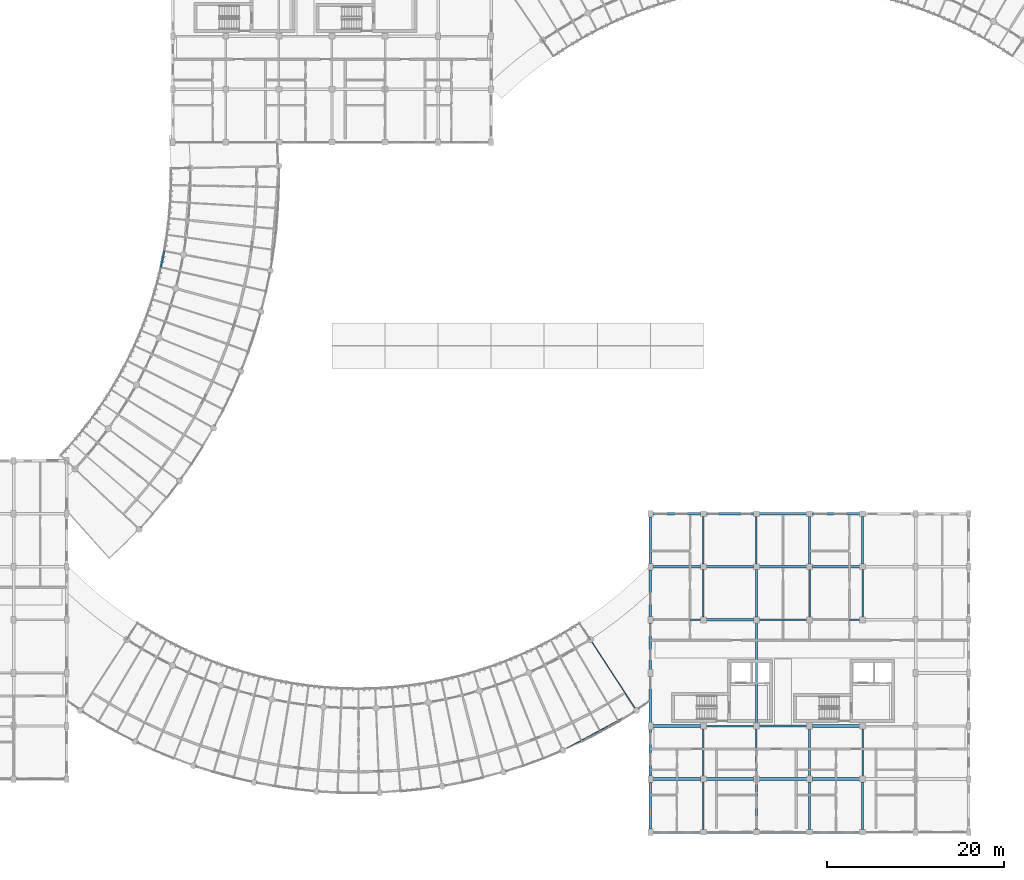
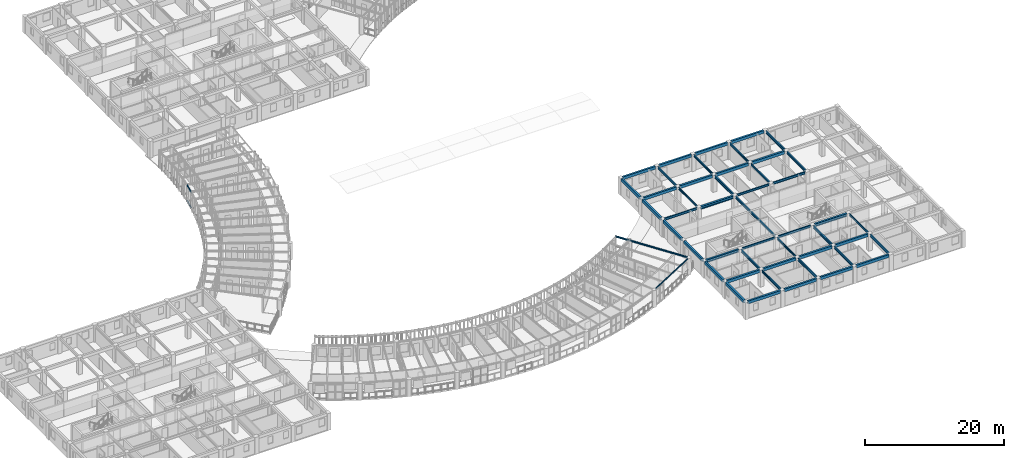
# One storey, part 21 of 100: 50 beams, 2 members.
"""IFC4 building model written with IfcOpenShell, lengths in metres."""

from ifc_helpers import new_model, si_unit, direction, frame, origin, origin_2d, place, context, subcontext, project, spatial, rectangle, hollow_rectangle, i_section, extrude, material, material_profile, profile_set, type_object, element, save


model = new_model("IFC4")

# Units and contexts
model_context = context("Model", 3, precision=1e-05, world=origin(), true_north=direction((0.0, 1.0)))
body_context = subcontext(model_context, "Body", "Model", "MODEL_VIEW")
ifc_project = project(units=[si_unit("LENGTHUNIT", "METRE"), si_unit("AREAUNIT", "SQUARE_METRE"), si_unit("VOLUMEUNIT", "CUBIC_METRE"), si_unit("PLANEANGLEUNIT", "RADIAN"), si_unit("MASSUNIT", "GRAM", prefix="KILO"), si_unit("POWERUNIT", "WATT"), si_unit("THERMODYNAMICTEMPERATUREUNIT", "KELVIN")], contexts=[model_context])

# Site, building, storey
site_placement = place(None, origin())
site = spatial("IfcSite", under=ifc_project, at=site_placement, CompositionType="ELEMENT")
building_placement = place(site_placement, origin())
building = spatial("IfcBuilding", under=site, at=building_placement, Name="Ruvembo Vaulted Housing Court", CompositionType="ELEMENT")
storey_placement = place(building_placement, frame((0.0, 0.0, 10.89990234375)))
storey = spatial("IfcBuildingStorey", under=building, at=storey_placement, Name="L03", CompositionType="ELEMENT", Elevation=10.89990234375)

# Beams
ifc_material_1 = material(Name="Steel S355J2", Category="steel")
ifc_material_profile_1 = material_profile(ifc_material_1, i_section(OverallWidth=0.300048828125, OverallDepth=0.5, WebThickness=0.014404296875, FlangeThickness=0.028076171875, FilletRadius=0.027099609375, at=origin_2d()), Name="HEB 320")
ifc_profile_set_1 = profile_set([ifc_material_profile_1], Name="Steel S355J2")
beam_type_1 = type_object("IfcBeamType", Name="BM-ST-HEB320", PredefinedType="BEAM", material=ifc_profile_set_1)
beam_1_placement = place(storey_placement, frame((102.260009765625, 12.0, 2.676025390625), z_axis=(1.0, 0.0, 0.0), x_axis=(0.0, 1.0, 0.0)))
element("IfcBeam", 1, at=beam_1_placement, inside=storey, type_object=beam_type_1, Name="L03 Grid Beam X #1733", PredefinedType="BEAM", context=body_context, shape_type="SweptSolid", body=[
    extrude(i_section(OverallWidth=0.300048828125, OverallDepth=0.5, WebThickness=0.014404296875, FlangeThickness=0.028076171875, FilletRadius=0.027099609375, at=origin_2d()), origin(), (0.0, 0.0, 1.0), 5.429931640625),
])
for number, where, z_axis, x_axis, name in (
    (2, (120.31005859375, 12.0, 2.676025390625), (1.0, 0.0, 0.0), (0.0, 1.0, 0.0), "L03 Grid Beam X #1736"),
    (3, (108.31005859375, 24.0, 2.676025390625), (1.0, 0.0, 0.0), (0.0, 1.0, 0.0), "L03 Grid Beam X #1748"),
):
    element("IfcBeam", number, at=place(storey_placement, frame(where, z_axis=z_axis, x_axis=x_axis)), inside=storey, type_object=beam_type_1, Name=name, PredefinedType="BEAM", context=body_context, shape_type="SweptSolid", body=[
        extrude(i_section(OverallWidth=0.300048828125, OverallDepth=0.5, WebThickness=0.014404296875, FlangeThickness=0.028076171875, FilletRadius=0.027099609375, at=origin_2d()), origin(), (0.0, 0.0, 1.0), 5.3798828125),
    ])
ifc_material_profile_2 = material_profile(ifc_material_1, i_section(OverallWidth=0.10009765625, OverallDepth=0.199951171875, WebThickness=0.005615234375, FlangeThickness=0.008544921875, FilletRadius=0.011962890625, at=origin_2d()), Name="IPE 200")
ifc_profile_set_2 = profile_set([ifc_material_profile_2], Name="Steel S355J2")
beam_type_2 = type_object("IfcBeamType", Name="BM-ST-IPE200", PredefinedType="BEAM", material=ifc_profile_set_2)
beam_2_placement = place(storey_placement, frame((100.322265625, 13.93505859375, 2.840087890625), z_axis=(-0.545959206746, 0.837811759627, 0.0), x_axis=(-0.837811759627, -0.545959206746, 0.0)))
element("IfcBeam", 4, at=beam_2_placement, inside=storey, type_object=beam_type_2, Name="Scoop SC2 L03 Radial Steel Joist 28", PredefinedType="BEAM", context=body_context, shape_type="SweptSolid", body=[
    extrude(i_section(OverallWidth=0.10009765625, OverallDepth=0.199951171875, WebThickness=0.005615234375, FlangeThickness=0.008544921875, FilletRadius=0.011962890625, at=origin_2d()), origin(), (0.0, 0.0, 1.0), 11.610107421875),
])
ifc_material_profile_3 = material_profile(ifc_material_1, i_section(OverallWidth=0.110107421875, OverallDepth=0.219970703125, WebThickness=0.005859375, FlangeThickness=0.00927734375, FilletRadius=0.011962890625, at=origin_2d()), Name="IPE 220")
ifc_profile_set_3 = profile_set([ifc_material_profile_3], Name="Steel S355J2")
beam_type_3 = type_object("IfcBeamType", Name="BM-ST-IPE220", PredefinedType="SPANDREL", material=ifc_profile_set_3)
beam_3_placement = place(storey_placement, frame((92.2958984375, 9.341552734375, 2.83203125), z_axis=(0.879961207555, 0.475045548552, 0.0), x_axis=(-0.475045548552, 0.879961207555, 0.0)))
element("IfcBeam", 5, at=beam_3_placement, inside=storey, type_object=beam_type_3, Name="Scoop SC2 L03 Chord Girder B24", PredefinedType="SPANDREL", context=body_context, shape_type="SweptSolid", body=[
    extrude(i_section(OverallWidth=0.110107421875, OverallDepth=0.219970703125, WebThickness=0.005859375, FlangeThickness=0.00927734375, FilletRadius=0.011962890625, at=origin_2d()), origin(), (0.0, 0.0, 1.0), 9.033935546875),
])
ifc_material_profile_4 = material_profile(ifc_material_1, i_section(OverallWidth=0.169921875, OverallDepth=0.360107421875, WebThickness=0.008056640625, FlangeThickness=0.0126953125, FilletRadius=0.01806640625, at=origin_2d()), Name="IPE 360")
ifc_profile_set_4 = profile_set([ifc_material_profile_4], Name="Steel S355J2")
beam_type_4 = type_object("IfcBeamType", Name="BM-ST-IPE360", PredefinedType="BEAM", material=ifc_profile_set_4)
for number, where, z_axis, x_axis, name in (
    (6, (108.31005859375, 12.0, 2.74609375), (1.0, 0.0, 0.0), (0.0, 1.0, 0.0), "L03 Grid Beam X #1734"),
    (7, (114.31005859375, 24.0, 2.74609375), (1.0, 0.0, 0.0), (0.0, 1.0, 0.0), "L03 Grid Beam X #1749"),
    (8, (108.0, 24.31005859375, 2.74609375), (0.0, 1.0, 0.0), (-1.0, 0.0, 0.0), "L03 Grid Beam Y #1935"),
    (9, (114.0, 6.31005859375, 2.74609375), (0.0, 1.0, 0.0), (-1.0, 0.0, 0.0), "L03 Grid Beam Y #1938"),
    (10, (114.0, 30.31005859375, 2.74609375), (0.0, 1.0, 0.0), (-1.0, 0.0, 0.0), "L03 Grid Beam Y #1941"),
    (11, (120.0, 24.31005859375, 2.74609375), (0.0, 1.0, 0.0), (-1.0, 0.0, 0.0), "L03 Grid Beam Y #1944"),
    (12, (126.0, 6.31005859375, 2.74609375), (0.0, 1.0, 0.0), (-1.0, 0.0, 0.0), "L03 Grid Beam Y #1947"),
):
    element("IfcBeam", number, at=place(storey_placement, frame(where, z_axis=z_axis, x_axis=x_axis)), inside=storey, type_object=beam_type_4, Name=name, PredefinedType="BEAM", context=body_context, shape_type="SweptSolid", body=[
        extrude(i_section(OverallWidth=0.169921875, OverallDepth=0.360107421875, WebThickness=0.008056640625, FlangeThickness=0.0126953125, FilletRadius=0.01806640625, at=origin_2d()), origin(), (0.0, 0.0, 1.0), 5.3798828125),
    ])
ifc_material_profile_5 = material_profile(ifc_material_1, i_section(OverallWidth=0.179931640625, OverallDepth=0.39990234375, WebThickness=0.008544921875, FlangeThickness=0.013427734375, FilletRadius=0.02099609375, at=origin_2d()), Name="IPE 400")
ifc_profile_set_5 = profile_set([ifc_material_profile_5], Name="Steel S355J2")
beam_type_5 = type_object("IfcBeamType", Name="BM-ST-IPE400", PredefinedType="BEAM", material=ifc_profile_set_5)
beam_4_placement = place(storey_placement, frame((114.31005859375, 12.0, 2.72607421875), z_axis=(1.0, 0.0, 0.0), x_axis=(0.0, 1.0, 0.0)))
element("IfcBeam", 13, at=beam_4_placement, inside=storey, type_object=beam_type_5, Name="L03 Grid Beam X #1735", PredefinedType="BEAM", context=body_context, shape_type="SweptSolid", body=[
    extrude(i_section(OverallWidth=0.179931640625, OverallDepth=0.39990234375, WebThickness=0.008544921875, FlangeThickness=0.013427734375, FilletRadius=0.02099609375, at=origin_2d()), origin(), (0.0, 0.0, 1.0), 5.3798828125),
])
beam_5_placement = place(storey_placement, frame((102.260009765625, 24.0, 2.72607421875), z_axis=(1.0, 0.0, 0.0), x_axis=(0.0, 1.0, 0.0)))
element("IfcBeam", 14, at=beam_5_placement, inside=storey, type_object=beam_type_5, Name="L03 Grid Beam X #1747", PredefinedType="BEAM", context=body_context, shape_type="SweptSolid", body=[
    extrude(i_section(OverallWidth=0.179931640625, OverallDepth=0.39990234375, WebThickness=0.008544921875, FlangeThickness=0.013427734375, FilletRadius=0.02099609375, at=origin_2d()), origin(), (0.0, 0.0, 1.0), 5.429931640625),
])
for number, where, z_axis, x_axis, name in (
    (15, (120.31005859375, 24.0, 2.72607421875), (1.0, 0.0, 0.0), (0.0, 1.0, 0.0), "L03 Grid Beam X #1750"),
    (16, (108.0, 0.31005859375, 2.72607421875), (0.0, 1.0, 0.0), (-1.0, 0.0, 0.0), "L03 Grid Beam Y #1933"),
    (17, (108.0, 30.31005859375, 2.72607421875), (0.0, 1.0, 0.0), (-1.0, 0.0, 0.0), "L03 Grid Beam Y #1936"),
):
    element("IfcBeam", number, at=place(storey_placement, frame(where, z_axis=z_axis, x_axis=x_axis)), inside=storey, type_object=beam_type_5, Name=name, PredefinedType="BEAM", context=body_context, shape_type="SweptSolid", body=[
        extrude(i_section(OverallWidth=0.179931640625, OverallDepth=0.39990234375, WebThickness=0.008544921875, FlangeThickness=0.013427734375, FilletRadius=0.02099609375, at=origin_2d()), origin(), (0.0, 0.0, 1.0), 5.3798828125),
    ])
beam_6_placement = place(storey_placement, frame((114.0, 12.31005859375, 2.72607421875), z_axis=(0.0, 1.0, 0.0), x_axis=(-1.0, 0.0, 0.0)))
element("IfcBeam", 18, at=beam_6_placement, inside=storey, type_object=beam_type_5, Name="L03 Grid Beam Y #1939", PredefinedType="BEAM", context=body_context, shape_type="SweptSolid", body=[
    extrude(i_section(OverallWidth=0.179931640625, OverallDepth=0.39990234375, WebThickness=0.008544921875, FlangeThickness=0.013427734375, FilletRadius=0.02099609375, at=origin_2d()), origin(), (0.0, 0.0, 1.0), 11.3798828125),
])
for number, where, z_axis, x_axis, name in (
    (19, (120.0, 0.31005859375, 2.72607421875), (0.0, 1.0, 0.0), (-1.0, 0.0, 0.0), "L03 Grid Beam Y #1942"),
    (20, (120.0, 30.31005859375, 2.72607421875), (0.0, 1.0, 0.0), (-1.0, 0.0, 0.0), "L03 Grid Beam Y #1945"),
    (21, (126.0, 24.31005859375, 2.72607421875), (0.0, 1.0, 0.0), (-1.0, 0.0, 0.0), "L03 Grid Beam Y #1948"),
):
    element("IfcBeam", number, at=place(storey_placement, frame(where, z_axis=z_axis, x_axis=x_axis)), inside=storey, type_object=beam_type_5, Name=name, PredefinedType="BEAM", context=body_context, shape_type="SweptSolid", body=[
        extrude(i_section(OverallWidth=0.179931640625, OverallDepth=0.39990234375, WebThickness=0.008544921875, FlangeThickness=0.013427734375, FilletRadius=0.02099609375, at=origin_2d()), origin(), (0.0, 0.0, 1.0), 5.3798828125),
    ])
ifc_material_profile_6 = material_profile(ifc_material_1, i_section(OverallWidth=0.18994140625, OverallDepth=0.449951171875, WebThickness=0.009521484375, FlangeThickness=0.0146484375, FilletRadius=0.02099609375, at=origin_2d()), Name="IPE 450")
ifc_profile_set_6 = profile_set([ifc_material_profile_6], Name="Steel S355J2")
beam_type_6 = type_object("IfcBeamType", Name="BM-ST-IPE450", PredefinedType="BEAM", material=ifc_profile_set_6)
for number, where, z_axis, x_axis, name in (
    (22, (108.0, 6.31005859375, 2.701171875), (0.0, 1.0, 0.0), (-1.0, 0.0, 0.0), "L03 Grid Beam Y #1934"),
    (23, (114.0, 0.31005859375, 2.701171875), (0.0, 1.0, 0.0), (-1.0, 0.0, 0.0), "L03 Grid Beam Y #1937"),
    (24, (114.0, 24.31005859375, 2.701171875), (0.0, 1.0, 0.0), (-1.0, 0.0, 0.0), "L03 Grid Beam Y #1940"),
    (25, (120.0, 6.31005859375, 2.701171875), (0.0, 1.0, 0.0), (-1.0, 0.0, 0.0), "L03 Grid Beam Y #1943"),
    (26, (126.0, 0.31005859375, 2.701171875), (0.0, 1.0, 0.0), (-1.0, 0.0, 0.0), "L03 Grid Beam Y #1946"),
    (27, (126.0, 30.31005859375, 2.701171875), (0.0, 1.0, 0.0), (-1.0, 0.0, 0.0), "L03 Grid Beam Y #1949"),
):
    element("IfcBeam", number, at=place(storey_placement, frame(where, z_axis=z_axis, x_axis=x_axis)), inside=storey, type_object=beam_type_6, Name=name, PredefinedType="BEAM", context=body_context, shape_type="SweptSolid", body=[
        extrude(i_section(OverallWidth=0.18994140625, OverallDepth=0.449951171875, WebThickness=0.009521484375, FlangeThickness=0.0146484375, FilletRadius=0.02099609375, at=origin_2d()), origin(), (0.0, 0.0, 1.0), 5.3798828125),
    ])
ifc_material_profile_7 = material_profile(ifc_material_1, hollow_rectangle(XDim=0.10009765625, YDim=0.199951171875, WallThickness=0.008056640625, InnerFilletRadius=0.008056640625, OuterFilletRadius=0.01611328125, at=origin_2d()), Name="RHS 200x100x8")
ifc_profile_set_7 = profile_set([ifc_material_profile_7], Name="Steel S355J2")
beam_type_7 = type_object("IfcBeamType", Name="BM-ST-RHS200", PredefinedType="SPANDREL", material=ifc_profile_set_7)
beam_7_placement = place(storey_placement, frame((46.664794921875, 63.86669921875, 2.840087890625), z_axis=(0.20126745828, 0.979536324103, 0.0), x_axis=(-0.979536324103, 0.20126745828, 0.0)))
element("IfcBeam", 28, at=beam_7_placement, inside=storey, type_object=beam_type_7, Name="Scoop SC1 L03 Balcony Edge Spandrel 13", PredefinedType="SPANDREL", context=body_context, shape_type="SweptSolid", body=[
    extrude(hollow_rectangle(XDim=0.10009765625, YDim=0.199951171875, WallThickness=0.008056640625, InnerFilletRadius=0.008056640625, OuterFilletRadius=0.01611328125, at=origin_2d()), origin(), (0.0, 0.0, 1.0), 1.87646484375),
])

# Members
ifc_material_profile_8 = material_profile(ifc_material_1, hollow_rectangle(XDim=0.06005859375, YDim=0.1201171875, WallThickness=0.0048828125, InnerFilletRadius=0.0048828125, OuterFilletRadius=0.010009765625, at=origin_2d()), Name="RHS 120x60x5")
ifc_profile_set_8 = profile_set([ifc_material_profile_8], Name="Steel S355J2")
member_type_1 = type_object("IfcMemberType", Name="MEM-CAR-RHS120", PredefinedType="CHORD", material=ifc_profile_set_8)
member_1_placement = place(storey_placement, frame((46.664794921875, 63.86669921875, 2.68310546875), z_axis=(0.20126745828, 0.979536324103, 0.0), x_axis=(-0.979536324103, 0.20126745828, 0.0)))
element("IfcMember", 29, at=member_1_placement, inside=storey, type_object=member_type_1, Name="Scoop SC1 L03 Upper Louvre Carrier Rail 13", PredefinedType="CHORD", context=body_context, shape_type="SweptSolid", body=[
    extrude(hollow_rectangle(XDim=0.06005859375, YDim=0.1201171875, WallThickness=0.0048828125, InnerFilletRadius=0.0048828125, OuterFilletRadius=0.010009765625, at=origin_2d()), origin(), (0.0, 0.0, 1.0), 1.87646484375),
])
ifc_material_profile_9 = material_profile(ifc_material_1, hollow_rectangle(XDim=0.080078125, YDim=0.14990234375, WallThickness=0.00634765625, InnerFilletRadius=0.00634765625, OuterFilletRadius=0.0126953125, at=origin_2d()), Name="RHS 150x80x6.3")
ifc_profile_set_9 = profile_set([ifc_material_profile_9], Name="Steel S355J2")
member_type_2 = type_object("IfcMemberType", Name="MEM-CAR-RHS150", PredefinedType="CHORD", material=ifc_profile_set_9)
member_2_placement = place(storey_placement, frame((46.664794921875, 63.86669921875, 0.09521484375), z_axis=(0.20126745828, 0.979536324103, 0.0), x_axis=(-0.979536324103, 0.20126745828, 0.0)))
element("IfcMember", 30, at=member_2_placement, inside=storey, type_object=member_type_2, Name="Scoop SC1 L03 Lower Louvre Carrier Rail 13", PredefinedType="CHORD", context=body_context, shape_type="SweptSolid", body=[
    extrude(hollow_rectangle(XDim=0.080078125, YDim=0.14990234375, WallThickness=0.00634765625, InnerFilletRadius=0.00634765625, OuterFilletRadius=0.0126953125, at=origin_2d()), origin(), (0.0, 0.0, 1.0), 1.87646484375),
])

# Beams
ifc_material_2 = material(Name="Concrete C35/45", Category="concrete")
ifc_material_profile_10 = material_profile(ifc_material_2, rectangle(XDim=0.300048828125, YDim=0.5, at=origin_2d()), Name="RC 300x500")
ifc_profile_set_10 = profile_set([ifc_material_profile_10], Name="Concrete C35/45")
beam_type_8 = type_object("IfcBeamType", Name="SP-RC-300x500", PredefinedType="SPANDREL", material=ifc_profile_set_10)
beam_8_placement = place(storey_placement, frame((102.260009765625, 0.0, 2.710205078125), z_axis=(1.0, 0.0, 0.0), x_axis=(0.0, 1.0, 0.0)))
element("IfcBeam", 31, at=beam_8_placement, inside=storey, type_object=beam_type_8, Name="L03 Grid Beam X #1709", PredefinedType="SPANDREL", context=body_context, shape_type="SweptSolid", body=[
    extrude(rectangle(XDim=0.300048828125, YDim=0.5, at=origin_2d()), origin(), (0.0, 0.0, 1.0), 5.429931640625),
])
for number, where, z_axis, x_axis, name in (
    (32, (108.31005859375, 0.0, 2.710205078125), (1.0, 0.0, 0.0), (0.0, 1.0, 0.0), "L03 Grid Beam X #1710"),
    (33, (114.31005859375, 0.0, 2.710205078125), (1.0, 0.0, 0.0), (0.0, 1.0, 0.0), "L03 Grid Beam X #1711"),
    (34, (120.31005859375, 0.0, 2.710205078125), (1.0, 0.0, 0.0), (0.0, 1.0, 0.0), "L03 Grid Beam X #1712"),
):
    element("IfcBeam", number, at=place(storey_placement, frame(where, z_axis=z_axis, x_axis=x_axis)), inside=storey, type_object=beam_type_8, Name=name, PredefinedType="SPANDREL", context=body_context, shape_type="SweptSolid", body=[
        extrude(rectangle(XDim=0.300048828125, YDim=0.5, at=origin_2d()), origin(), (0.0, 0.0, 1.0), 5.3798828125),
    ])
beam_9_placement = place(storey_placement, frame((102.260009765625, 6.0, 2.710205078125), z_axis=(1.0, 0.0, 0.0), x_axis=(0.0, 1.0, 0.0)))
element("IfcBeam", 35, at=beam_9_placement, inside=storey, type_object=beam_type_8, Name="L03 Grid Beam X #1721", PredefinedType="SPANDREL", context=body_context, shape_type="SweptSolid", body=[
    extrude(rectangle(XDim=0.300048828125, YDim=0.5, at=origin_2d()), origin(), (0.0, 0.0, 1.0), 5.429931640625),
])
for number, where, z_axis, x_axis, name in (
    (36, (108.31005859375, 6.0, 2.710205078125), (1.0, 0.0, 0.0), (0.0, 1.0, 0.0), "L03 Grid Beam X #1722"),
    (37, (114.31005859375, 6.0, 2.710205078125), (1.0, 0.0, 0.0), (0.0, 1.0, 0.0), "L03 Grid Beam X #1723"),
    (38, (120.31005859375, 6.0, 2.710205078125), (1.0, 0.0, 0.0), (0.0, 1.0, 0.0), "L03 Grid Beam X #1724"),
):
    element("IfcBeam", number, at=place(storey_placement, frame(where, z_axis=z_axis, x_axis=x_axis)), inside=storey, type_object=beam_type_8, Name=name, PredefinedType="SPANDREL", context=body_context, shape_type="SweptSolid", body=[
        extrude(rectangle(XDim=0.300048828125, YDim=0.5, at=origin_2d()), origin(), (0.0, 0.0, 1.0), 5.3798828125),
    ])
beam_10_placement = place(storey_placement, frame((102.260009765625, 30.0, 2.710205078125), z_axis=(1.0, 0.0, 0.0), x_axis=(0.0, 1.0, 0.0)))
element("IfcBeam", 39, at=beam_10_placement, inside=storey, type_object=beam_type_8, Name="L03 Grid Beam X #1759", PredefinedType="SPANDREL", context=body_context, shape_type="SweptSolid", body=[
    extrude(rectangle(XDim=0.300048828125, YDim=0.5, at=origin_2d()), origin(), (0.0, 0.0, 1.0), 5.429931640625),
])
for number, where, z_axis, x_axis, name in (
    (40, (108.31005859375, 30.0, 2.710205078125), (1.0, 0.0, 0.0), (0.0, 1.0, 0.0), "L03 Grid Beam X #1760"),
    (41, (114.31005859375, 30.0, 2.710205078125), (1.0, 0.0, 0.0), (0.0, 1.0, 0.0), "L03 Grid Beam X #1761"),
    (42, (120.31005859375, 30.0, 2.710205078125), (1.0, 0.0, 0.0), (0.0, 1.0, 0.0), "L03 Grid Beam X #1762"),
):
    element("IfcBeam", number, at=place(storey_placement, frame(where, z_axis=z_axis, x_axis=x_axis)), inside=storey, type_object=beam_type_8, Name=name, PredefinedType="SPANDREL", context=body_context, shape_type="SweptSolid", body=[
        extrude(rectangle(XDim=0.300048828125, YDim=0.5, at=origin_2d()), origin(), (0.0, 0.0, 1.0), 5.3798828125),
    ])
beam_11_placement = place(storey_placement, frame((102.260009765625, 36.0, 2.710205078125), z_axis=(1.0, 0.0, 0.0), x_axis=(0.0, 1.0, 0.0)))
element("IfcBeam", 43, at=beam_11_placement, inside=storey, type_object=beam_type_8, Name="L03 Grid Beam X #1771", PredefinedType="SPANDREL", context=body_context, shape_type="SweptSolid", body=[
    extrude(rectangle(XDim=0.300048828125, YDim=0.5, at=origin_2d()), origin(), (0.0, 0.0, 1.0), 5.429931640625),
])
for number, where, z_axis, x_axis, name in (
    (44, (108.31005859375, 36.0, 2.710205078125), (1.0, 0.0, 0.0), (0.0, 1.0, 0.0), "L03 Grid Beam X #1772"),
    (45, (114.31005859375, 36.0, 2.710205078125), (1.0, 0.0, 0.0), (0.0, 1.0, 0.0), "L03 Grid Beam X #1773"),
    (46, (120.31005859375, 36.0, 2.710205078125), (1.0, 0.0, 0.0), (0.0, 1.0, 0.0), "L03 Grid Beam X #1774"),
):
    element("IfcBeam", number, at=place(storey_placement, frame(where, z_axis=z_axis, x_axis=x_axis)), inside=storey, type_object=beam_type_8, Name=name, PredefinedType="SPANDREL", context=body_context, shape_type="SweptSolid", body=[
        extrude(rectangle(XDim=0.300048828125, YDim=0.5, at=origin_2d()), origin(), (0.0, 0.0, 1.0), 5.3798828125),
    ])
for number, where, z_axis, x_axis, name in (
    (47, (102.0, 0.360107421875, 2.710205078125), (0.0, 1.0, 0.0), (-1.0, 0.0, 0.0), "L03 Grid Beam Y #1927"),
    (48, (102.0, 6.360107421875, 2.710205078125), (0.0, 1.0, 0.0), (-1.0, 0.0, 0.0), "L03 Grid Beam Y #1928"),
    (49, (102.0, 12.360107421875, 2.710205078125), (0.0, 1.0, 0.0), (-1.0, 0.0, 0.0), "L03 Grid Beam Y #1929"),
    (50, (102.0, 18.360107421875, 2.710205078125), (0.0, 1.0, 0.0), (-1.0, 0.0, 0.0), "L03 Grid Beam Y #1930"),
    (51, (102.0, 24.360107421875, 2.710205078125), (0.0, 1.0, 0.0), (-1.0, 0.0, 0.0), "L03 Grid Beam Y #1931"),
    (52, (102.0, 30.360107421875, 2.710205078125), (0.0, 1.0, 0.0), (-1.0, 0.0, 0.0), "L03 Grid Beam Y #1932"),
):
    element("IfcBeam", number, at=place(storey_placement, frame(where, z_axis=z_axis, x_axis=x_axis)), inside=storey, type_object=beam_type_8, Name=name, PredefinedType="SPANDREL", context=body_context, shape_type="SweptSolid", body=[
        extrude(rectangle(XDim=0.300048828125, YDim=0.5, at=origin_2d()), origin(), (0.0, 0.0, 1.0), 5.27978515625),
    ])

save(model, "model.ifc")
